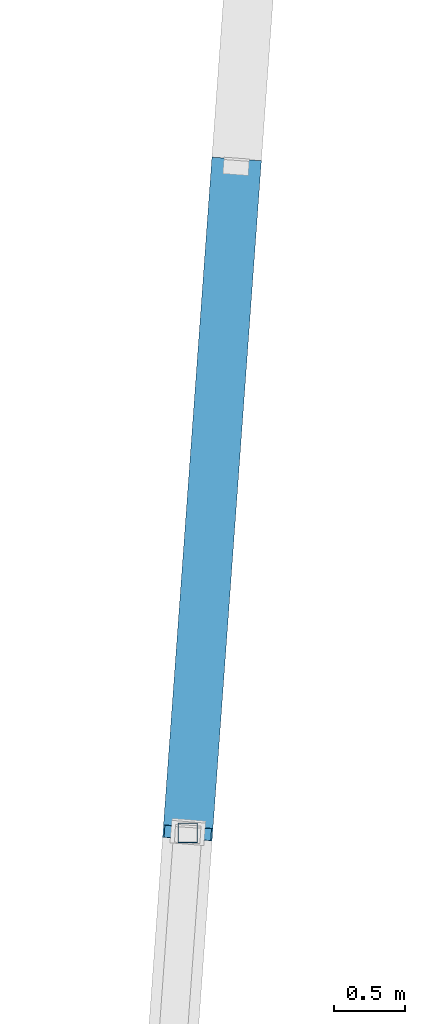
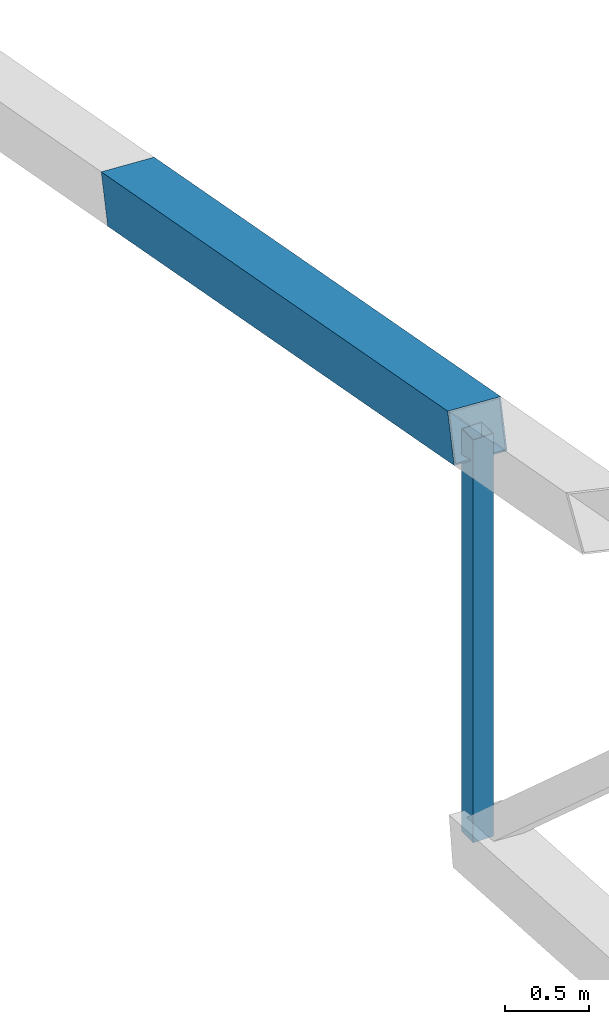
# One storey, part 24 of 188: 2 members.
"""IFC4 building model written with IfcOpenShell, lengths in metres."""

from ifc_helpers import new_model, si_unit, direction, frame, origin, origin_2d, place, context, subcontext, project, spatial, hollow_rectangle, extrude, material, material_profile, profile_set, type_object, element, save


model = new_model("IFC4")

# Units and contexts
model_context = context("Model", 3, precision=1e-05, world=origin(), true_north=direction((0.0, 1.0)))
body_context = subcontext(model_context, "Body", "Model", "MODEL_VIEW")
ifc_project = project(units=[si_unit("LENGTHUNIT", "METRE"), si_unit("AREAUNIT", "SQUARE_METRE"), si_unit("VOLUMEUNIT", "CUBIC_METRE"), si_unit("PLANEANGLEUNIT", "RADIAN"), si_unit("MASSUNIT", "GRAM", prefix="KILO")], contexts=[model_context])

# Site, building, storey
site_placement = place(None, origin())
site = spatial("IfcSite", under=ifc_project, at=site_placement, CompositionType="ELEMENT")
building_placement = place(site_placement, origin())
building = spatial("IfcBuilding", under=site, at=building_placement, Name="Meseta Stadium", CompositionType="ELEMENT")
storey_placement = place(building_placement, frame((0.0, 0.0, 30.0)))
storey = spatial("IfcBuildingStorey", under=building, at=storey_placement, Name="ROOF", CompositionType="ELEMENT", Elevation=30.0)

# Members
ifc_material_1 = material(Name="Steel S355", Category="steel")
ifc_material_profile_1 = material_profile(ifc_material_1, hollow_rectangle(XDim=0.139892578125, YDim=0.139892578125, WallThickness=0.0048828125, at=origin_2d()), Name="SHS 140x140x5")
ifc_profile_set_1 = profile_set([ifc_material_profile_1], Name="Steel S355")
member_type_1 = type_object("IfcMemberType", Name="SHS 140x140x5 post", PredefinedType="POST", material=ifc_profile_set_1)
member_1_placement = place(storey_placement, frame((-5.83349609375, -80.120361328125, 0.911865234375), z_axis=(0.0, 0.0, 1.0), x_axis=(1.0, 0.0, 0.0)))
element("IfcMember", 1, at=member_1_placement, inside=storey, type_object=member_type_1, Name="ROOF TRUSS RT-46 post", PredefinedType="POST", context=body_context, shape_type="SweptSolid", body=[
    extrude(hollow_rectangle(XDim=0.139892578125, YDim=0.139892578125, WallThickness=0.0048828125, at=origin_2d()), origin(), (0.0, 0.0, 1.0), 2.9228515625),
])
ifc_material_2 = material(Name="Steel S355", Category="steel")
ifc_material_profile_2 = material_profile(ifc_material_2, hollow_rectangle(XDim=0.35009765625, YDim=0.35009765625, WallThickness=0.010009765625, at=origin_2d()), Name="SHS 350x350x10")
ifc_profile_set_2 = profile_set([ifc_material_profile_2], Name="Steel S355")
member_type_2 = type_object("IfcMemberType", Name="SHS 350x350x10 top chord", PredefinedType="CHORD", material=ifc_profile_set_2)
member_2_placement = place(storey_placement, frame((-5.49169921875, -75.4072265625, 2.594482421875), z_axis=(-0.069960708419, -0.964708197168, 0.253857427693), x_axis=(0.997380746332, -0.072330124054, 0.0)))
element("IfcMember", 2, at=member_2_placement, inside=storey, type_object=member_type_2, Name="ROOF TRUSS RT-46 top chord", PredefinedType="CHORD", context=body_context, shape_type="SweptSolid", body=[
    extrude(hollow_rectangle(XDim=0.35009765625, YDim=0.35009765625, WallThickness=0.010009765625, at=origin_2d()), origin(), (0.0, 0.0, 1.0), 4.885498046875),
])

save(model, "model.ifc")
